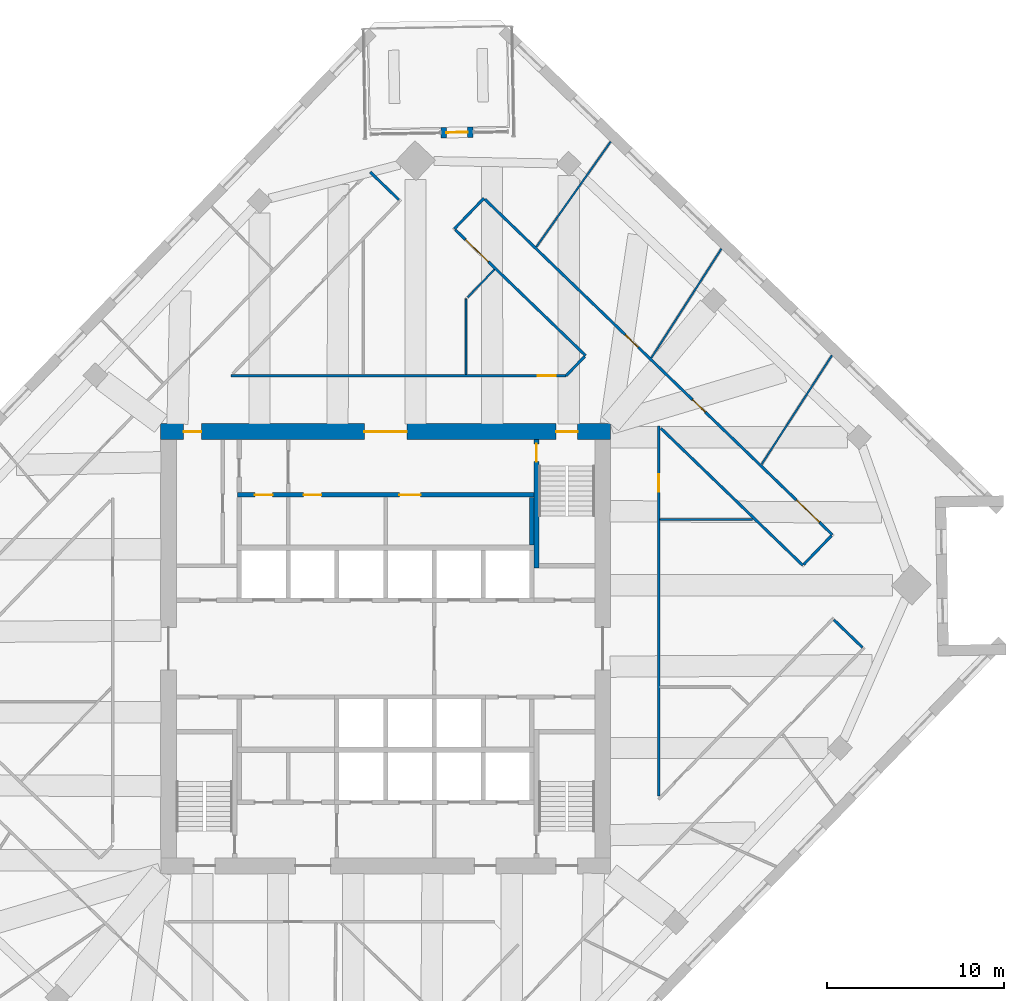
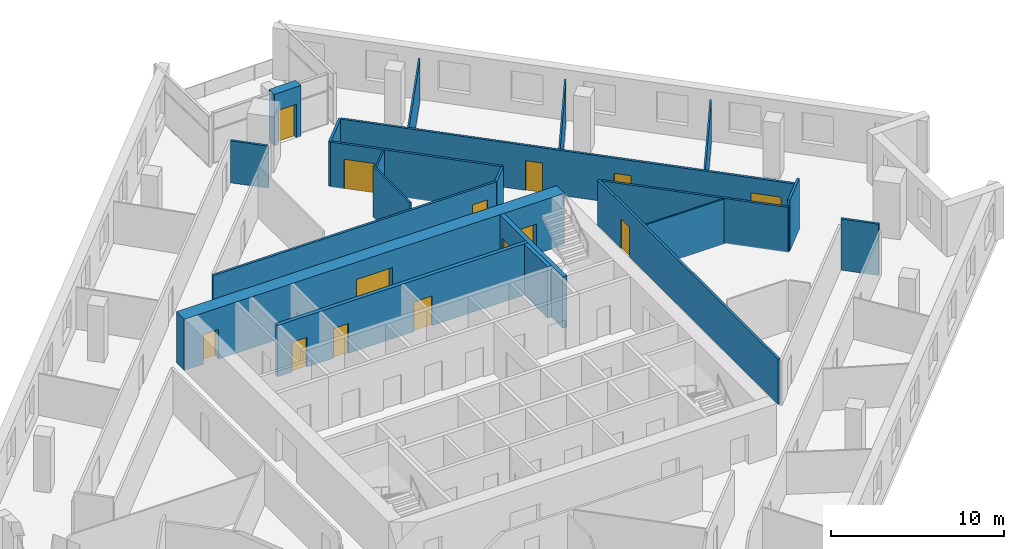
# One storey, part 10 of 13: 21 walls, 14 doors, 14 openings.
"""IFC4 building model written with IfcOpenShell, lengths in metres."""

from ifc_helpers import new_model, si_unit, direction, frame, frame_2d, origin, place, context, subcontext, project, spatial, rectangle, extrude, material, layer, layer_set, type_object, element, fill, save


model = new_model("IFC4")

# Units and contexts
model_context = context("Model", 3, precision=1e-05, world=origin(), true_north=direction((0.0, 1.0)))
body_context = subcontext(model_context, "Body", "Model", "MODEL_VIEW")
ifc_project = project(units=[si_unit("LENGTHUNIT", "METRE"), si_unit("AREAUNIT", "SQUARE_METRE"), si_unit("VOLUMEUNIT", "CUBIC_METRE"), si_unit("PLANEANGLEUNIT", "RADIAN"), si_unit("MASSUNIT", "GRAM", prefix="KILO")], contexts=[model_context])

# Site, building, storey
site_placement = place(None, origin())
site = spatial("IfcSite", under=ifc_project, at=site_placement, CompositionType="ELEMENT")
building_placement = place(site_placement, origin())
building = spatial("IfcBuilding", under=site, at=building_placement, Name="Dilmun Exchange Tower", CompositionType="ELEMENT")
storey_placement = place(building_placement, frame((0.0, 0.0, 205.300048828125)))
storey = spatial("IfcBuildingStorey", under=building, at=storey_placement, Name="L48", CompositionType="ELEMENT", Elevation=205.300048828125)

# Wall
ifc_material_1 = material(Name="Concrete C40/50", Category="concrete")
ifc_layer_1 = layer(ifc_material_1, 0.25)
ifc_layer_set_1 = layer_set([ifc_layer_1], Name="Concrete C40/50")
wall_type_1 = type_object("IfcWallType", Name="Core partition wall 250", PredefinedType="PARTITIONING", material=ifc_layer_set_1)
wall_1_placement = place(storey_placement, frame((8.25, 5.85498046875, 0.0), z_axis=(0.0, 0.0, 1.0), x_axis=(0.0, 1.0, 0.0)))
element("IfcWall", 1, at=wall_1_placement, inside=storey, type_object=wall_type_1, Name="L48 core partition wall 19", PredefinedType="PARTITIONING", context=body_context, shape_type="SweptSolid", body=[
    extrude(rectangle(XDim=2.68994140625, YDim=0.25, at=frame_2d((1.344970703125, 0.0))), origin(), (0.0, 0.0, 1.0), 3.619873046875),
])

# Wall, openings, doors
wall_2_placement = place(storey_placement, frame((-8.35009765625, 8.675048828125, 0.0), z_axis=(0.0, 0.0, 1.0), x_axis=(1.0, 0.0, 0.0)))
wall_2 = element("IfcWall", 2, at=wall_2_placement, inside=storey, type_object=wall_type_1, Name="L48 core partition wall 20", PredefinedType="PARTITIONING", context=body_context, shape_type="SweptSolid", body=[
    extrude(rectangle(XDim=16.72021484375, YDim=0.25, at=frame_2d((8.360107421875, 0.0))), origin(), (0.0, 0.0, 1.0), 3.619873046875),
])
opening_1_placement = place(wall_2_placement, frame((0.97509765625, 0.0, 0.0)))
opening_1 = element("IfcOpeningElement", 3, at=opening_1_placement, cuts=wall_2, Name="Opening CD4", PredefinedType="OPENING", context=body_context, shape_type="SweptSolid", body=[
    extrude(rectangle(XDim=1.0, YDim=2.10009765625, at=frame_2d((0.5, 1.050048828125))), frame((0.0, 0.135009765625, 0.0), z_axis=(0.0, -1.0, 0.0), x_axis=(1.0, 0.0, 0.0)), (0.0, 0.0, 1.0), 0.27001953125),
])
opening_2_placement = place(wall_2_placement, frame((3.72509765625, 0.0, 0.0)))
opening_2 = element("IfcOpeningElement", 4, at=opening_2_placement, cuts=wall_2, Name="Opening CD4", PredefinedType="OPENING", context=body_context, shape_type="SweptSolid", body=[
    extrude(rectangle(XDim=1.0, YDim=2.10009765625, at=frame_2d((0.5, 1.050048828125))), frame((0.0, 0.135009765625, 0.0), z_axis=(0.0, -1.0, 0.0), x_axis=(1.0, 0.0, 0.0)), (0.0, 0.0, 1.0), 0.27001953125),
])
opening_3_placement = place(wall_2_placement, frame((9.125, 0.0, 0.0)))
opening_3 = element("IfcOpeningElement", 5, at=opening_3_placement, cuts=wall_2, Name="Opening CD3", PredefinedType="OPENING", context=body_context, shape_type="SweptSolid", body=[
    extrude(rectangle(XDim=1.199951171875, YDim=2.10009765625, at=frame_2d((0.60009765625, 1.050048828125))), frame((0.0, 0.135009765625, 0.0), z_axis=(0.0, -1.0, 0.0), x_axis=(1.0, 0.0, 0.0)), (0.0, 0.0, 1.0), 0.27001953125),
])
ifc_material_2 = material(Name="Fire-rated steel door set", Category="steel")
door_type_1 = type_object("IfcDoorType", Name="Core room door 1000x2100", OperationType="SINGLE_SWING_LEFT", PredefinedType="DOOR", material=ifc_material_2)
door_1_placement = place(opening_1_placement, origin())
door_1 = element("IfcDoor", 6, at=door_1_placement, inside=storey, type_object=door_type_1, Name="L48 door Comms room", OperationType="SINGLE_SWING_LEFT", OverallHeight=2.10009765625, OverallWidth=1.0, PredefinedType="DOOR", context=body_context, shape_type="SweptSolid", body=[
    extrude(rectangle(XDim=1.0, YDim=2.10009765625, at=frame_2d((0.5, 1.050048828125))), frame((0.0, 0.02490234375, 0.0), z_axis=(0.0, -1.0, 0.0), x_axis=(1.0, 0.0, 0.0)), (0.0, 0.0, 1.0), 0.050048828125),
])
fill(opening_1, door_1)
door_2_placement = place(opening_2_placement, origin())
door_2 = element("IfcDoor", 7, at=door_2_placement, inside=storey, type_object=door_type_1, Name="L48 door Tenant services room", OperationType="SINGLE_SWING_LEFT", OverallHeight=2.10009765625, OverallWidth=1.0, PredefinedType="DOOR", context=body_context, shape_type="SweptSolid", body=[
    extrude(rectangle(XDim=1.0, YDim=2.10009765625, at=frame_2d((0.5, 1.050048828125))), frame((0.0, 0.02490234375, 0.0), z_axis=(0.0, -1.0, 0.0), x_axis=(1.0, 0.0, 0.0)), (0.0, 0.0, 1.0), 0.050048828125),
])
fill(opening_2, door_2)
door_type_2 = type_object("IfcDoorType", Name="Stair exit door 1200x2100", OperationType="SINGLE_SWING_LEFT", PredefinedType="DOOR", material=ifc_material_2)
door_3_placement = place(opening_3_placement, origin())
door_3 = element("IfcDoor", 8, at=door_3_placement, inside=storey, type_object=door_type_2, Name="L48 door Tenant amenity store", OperationType="SINGLE_SWING_LEFT", OverallHeight=2.10009765625, OverallWidth=1.199951171875, PredefinedType="DOOR", context=body_context, shape_type="SweptSolid", body=[
    extrude(rectangle(XDim=1.199951171875, YDim=2.10009765625, at=frame_2d((0.60009765625, 1.050048828125))), frame((0.0, 0.02490234375, 0.0), z_axis=(0.0, -1.0, 0.0), x_axis=(1.0, 0.0, 0.0)), (0.0, 0.0, 1.0), 0.050048828125),
])
fill(opening_3, door_3)

ifc_material_3 = material(Name="Concrete C60/75", Category="concrete")
ifc_layer_2 = layer(ifc_material_3, 0.89990234375)
ifc_layer_set_2 = layer_set([ifc_layer_2], Name="Concrete C60/75")
wall_type_2 = type_object("IfcWallType", Name="Core shear wall 900 Concrete C60/75", PredefinedType="SHEAR", material=ifc_layer_set_2)
wall_3_placement = place(storey_placement, frame((-12.699951171875, 12.25, 0.0), z_axis=(0.0, 0.0, 1.0), x_axis=(1.0, 0.0, 0.0)))
wall_3 = element("IfcWall", 9, at=wall_3_placement, inside=storey, type_object=wall_type_2, Name="L48 core shear wall N", PredefinedType="SHEAR", context=body_context, shape_type="SweptSolid", body=[
    extrude(rectangle(XDim=25.39990234375, YDim=0.89990234375, at=frame_2d((12.699951171875, 0.0))), origin(), (0.0, 0.0, 1.0), 3.619873046875),
])
opening_4_placement = place(wall_3_placement, frame((11.5, 0.0, 0.0)))
opening_4 = element("IfcOpeningElement", 10, at=opening_4_placement, cuts=wall_3, Name="Opening CD1", PredefinedType="OPENING", context=body_context, shape_type="SweptSolid", body=[
    extrude(rectangle(XDim=2.39990234375, YDim=2.39990234375, at=frame_2d((1.199951171875, 1.199951171875))), frame((0.0, 0.4599609375, 0.0), z_axis=(0.0, -1.0, 0.0), x_axis=(1.0, 0.0, 0.0)), (0.0, 0.0, 1.0), 0.919921875),
])
opening_5_placement = place(wall_3_placement, frame((22.324951171875, 0.0, 0.0)))
opening_5 = element("IfcOpeningElement", 11, at=opening_5_placement, cuts=wall_3, Name="Opening CD3", PredefinedType="OPENING", context=body_context, shape_type="SweptSolid", body=[
    extrude(rectangle(XDim=1.199951171875, YDim=2.10009765625, at=frame_2d((0.60009765625, 1.050048828125))), frame((0.0, 0.4599609375, 0.0), z_axis=(0.0, -1.0, 0.0), x_axis=(1.0, 0.0, 0.0)), (0.0, 0.0, 1.0), 0.919921875),
])
opening_6_placement = place(wall_3_placement, frame((1.300048828125, 0.0, 0.0)))
opening_6 = element("IfcOpeningElement", 12, at=opening_6_placement, cuts=wall_3, Name="Opening CD4", PredefinedType="OPENING", context=body_context, shape_type="SweptSolid", body=[
    extrude(rectangle(XDim=1.0, YDim=2.10009765625, at=frame_2d((0.5, 1.050048828125))), frame((0.0, 0.4599609375, 0.0), z_axis=(0.0, -1.0, 0.0), x_axis=(1.0, 0.0, 0.0)), (0.0, 0.0, 1.0), 0.919921875),
])
door_type_3 = type_object("IfcDoorType", Name="Core lobby door 2400x2400", OperationType="DOUBLE_DOOR_DOUBLE_SWING", PredefinedType="DOOR", material=ifc_material_2)
door_4_placement = place(opening_4_placement, origin())
door_4 = element("IfcDoor", 13, at=door_4_placement, inside=storey, type_object=door_type_3, Name="L48 door North lift lobby", OperationType="SINGLE_SWING_LEFT", OverallHeight=2.39990234375, OverallWidth=2.39990234375, PredefinedType="DOOR", context=body_context, shape_type="SweptSolid", body=[
    extrude(rectangle(XDim=2.39990234375, YDim=2.39990234375, at=frame_2d((1.199951171875, 1.199951171875))), frame((0.0, 0.02490234375, 0.0), z_axis=(0.0, -1.0, 0.0), x_axis=(1.0, 0.0, 0.0)), (0.0, 0.0, 1.0), 0.050048828125),
])
fill(opening_4, door_4)
door_5_placement = place(opening_6_placement, origin())
door_5 = element("IfcDoor", 14, at=door_5_placement, inside=storey, type_object=door_type_1, Name="L48 door North-west core rooms", OperationType="SINGLE_SWING_LEFT", OverallHeight=2.10009765625, OverallWidth=1.0, PredefinedType="DOOR", context=body_context, shape_type="SweptSolid", body=[
    extrude(rectangle(XDim=1.0, YDim=2.10009765625, at=frame_2d((0.5, 1.050048828125))), frame((0.0, 0.02490234375, 0.0), z_axis=(0.0, -1.0, 0.0), x_axis=(1.0, 0.0, 0.0)), (0.0, 0.0, 1.0), 0.050048828125),
])
fill(opening_6, door_5)
door_6_placement = place(opening_5_placement, origin())
door_6 = element("IfcDoor", 15, at=door_6_placement, inside=storey, type_object=door_type_2, Name="L48 door Stair ST1", OperationType="SINGLE_SWING_LEFT", OverallHeight=2.10009765625, OverallWidth=1.199951171875, PredefinedType="DOOR", context=body_context, shape_type="SweptSolid", body=[
    extrude(rectangle(XDim=1.199951171875, YDim=2.10009765625, at=frame_2d((0.60009765625, 1.050048828125))), frame((0.0, 0.02490234375, 0.0), z_axis=(0.0, -1.0, 0.0), x_axis=(1.0, 0.0, 0.0)), (0.0, 0.0, 1.0), 0.050048828125),
])
fill(opening_5, door_6)

# Wall, opening, door
ifc_material_4 = material(Name="Corridor wall 150")
ifc_layer_3 = layer(ifc_material_4, 0.14990234375)
ifc_layer_set_3 = layer_set([ifc_layer_3], Name="Corridor wall 150")
wall_type_3 = type_object("IfcWallType", Name="Corridor wall 150", PredefinedType="PARTITIONING", material=ifc_layer_set_3)
wall_4_placement = place(storey_placement, frame((-8.737060546875, 15.39990234375, 0.0), z_axis=(0.0, 0.0, 1.0), x_axis=(1.0, 0.0, 0.0)))
wall_4 = element("IfcWall", 16, at=wall_4_placement, inside=storey, type_object=wall_type_3, Name="Corridor wall", PredefinedType="PARTITIONING", context=body_context, shape_type="SweptSolid", body=[
    extrude(rectangle(XDim=18.916015625, YDim=0.14990234375, at=frame_2d((9.4580078125, 0.0))), origin(), (0.0, 0.0, 1.0), 3.169921875),
])
opening_7_placement = place(wall_4_placement, frame((17.3212890625, 0.0, 0.0)))
opening_7 = element("IfcOpeningElement", 17, at=opening_7_placement, cuts=wall_4, Name="Opening TF48-D15", PredefinedType="OPENING", context=body_context, shape_type="SweptSolid", body=[
    extrude(rectangle(XDim=1.0, YDim=2.10009765625, at=frame_2d((0.5, 1.050048828125))), frame((0.0, 0.0849609375, 0.0), z_axis=(0.0, -1.0, 0.0), x_axis=(1.0, 0.0, 0.0)), (0.0, 0.0, 1.0), 0.169921875),
])
ifc_material_5 = material(Name="Fire door 1000 x 2100")
door_type_4 = type_object("IfcDoorType", Name="Fire door 1000 x 2100", OperationType="NOTDEFINED", PredefinedType="DOOR", material=ifc_material_5)
door_7_placement = place(opening_7_placement, origin())
door_7 = element("IfcDoor", 18, at=door_7_placement, inside=storey, type_object=door_type_4, Name="Door TF48-D15", OperationType="SINGLE_SWING_LEFT", OverallHeight=2.10009765625, OverallWidth=1.0, PredefinedType="DOOR", context=body_context, shape_type="SweptSolid", body=[
    extrude(rectangle(XDim=1.0, YDim=2.10009765625, at=frame_2d((0.5, 1.050048828125))), frame((0.0, 0.02490234375, 0.0), z_axis=(0.0, -1.0, 0.0), x_axis=(1.0, 0.0, 0.0)), (0.0, 0.0, 1.0), 0.050048828125),
])
fill(opening_7, door_7)

# Walls
wall_5_placement = place(storey_placement, frame((-0.87109375, 26.891845703125, 0.0), z_axis=(0.0, 0.0, 1.0), x_axis=(0.719526700113, -0.694464777959, 0.0)))
element("IfcWall", 19, at=wall_5_placement, inside=storey, type_object=wall_type_3, Name="Corridor wall", PredefinedType="PARTITIONING", context=body_context, shape_type="SweptSolid", body=[
    extrude(rectangle(XDim=2.250244140625, YDim=0.14990234375, at=frame_2d((1.125, 0.0))), origin(), (0.0, 0.0, 1.0), 2.969970703125),
])
wall_6_placement = place(storey_placement, frame((3.8759765625, 23.68798828125, 0.0), z_axis=(0.0, 0.0, 1.0), x_axis=(0.694688923552, 0.719310294305, 0.0)))
element("IfcWall", 20, at=wall_6_placement, inside=storey, type_object=wall_type_3, Name="Corridor wall", PredefinedType="PARTITIONING", context=body_context, shape_type="SweptSolid", body=[
    extrude(rectangle(XDim=2.399658203125, YDim=0.14990234375, at=frame_2d((1.19970703125, 0.0))), origin(), (0.0, 0.0, 1.0), 3.169921875),
])

# Wall, opening, door
wall_7_placement = place(storey_placement, frame((3.929931640625, 23.635986328125, 0.0), z_axis=(0.0, 0.0, 1.0), x_axis=(0.719341752701, -0.694656348723, 0.0)))
wall_7 = element("IfcWall", 21, at=wall_7_placement, inside=storey, type_object=wall_type_3, Name="Corridor wall", PredefinedType="PARTITIONING", context=body_context, shape_type="SweptSolid", body=[
    extrude(rectangle(XDim=10.216552734375, YDim=0.14990234375, at=frame_2d((5.1083984375, 0.0))), origin(), (0.0, 0.0, 1.0), 3.169921875),
])
opening_8_placement = place(wall_7_placement, frame((0.800048828125, 0.0, 0.0)))
opening_8 = element("IfcOpeningElement", 22, at=opening_8_placement, cuts=wall_7, Name="Opening TF48-D11", PredefinedType="OPENING", context=body_context, shape_type="SweptSolid", body=[
    extrude(rectangle(XDim=1.800048828125, YDim=2.10009765625, at=frame_2d((0.89990234375, 1.050048828125))), frame((0.0, 0.0849609375, 0.0), z_axis=(0.0, -1.0, 0.0), x_axis=(1.0, 0.0, 0.0)), (0.0, 0.0, 1.0), 0.169921875),
])
ifc_material_6 = material(Name="Fire door pair 1800 x 2100")
door_type_5 = type_object("IfcDoorType", Name="Fire door pair 1800 x 2100", OperationType="NOTDEFINED", PredefinedType="DOOR", material=ifc_material_6)
door_8_placement = place(opening_8_placement, frame((1.800048828125, 0.0, 0.0), z_axis=(0.0, 0.0, 1.0), x_axis=(-1.0, 0.0, 0.0)))
door_8 = element("IfcDoor", 23, at=door_8_placement, inside=storey, type_object=door_type_5, Name="Door TF48-D11", OperationType="DOUBLE_DOOR_SINGLE_SWING", OverallHeight=2.10009765625, OverallWidth=1.800048828125, PredefinedType="DOOR", context=body_context, shape_type="SweptSolid", body=[
    extrude(rectangle(XDim=1.800048828125, YDim=2.10009765625, at=frame_2d((0.89990234375, 1.050048828125))), frame((0.0, 0.02490234375, 0.0), z_axis=(0.0, -1.0, 0.0), x_axis=(1.0, 0.0, 0.0)), (0.0, 0.0, 1.0), 0.050048828125),
])
fill(opening_8, door_8)

# Wall, openings, doors
wall_8_placement = place(storey_placement, frame((5.596923828125, 25.36181640625, 0.0), z_axis=(0.0, 0.0, 1.0), x_axis=(0.719350067003, -0.69464773886, 0.0)))
wall_8 = element("IfcWall", 24, at=wall_8_placement, inside=storey, type_object=wall_type_3, Name="Corridor wall", PredefinedType="PARTITIONING", context=body_context, shape_type="SweptSolid", body=[
    extrude(rectangle(XDim=27.258056640625, YDim=0.14990234375, at=frame_2d((13.62890625, 0.0))), origin(), (0.0, 0.0, 1.0), 3.169921875),
])
opening_9_placement = place(wall_8_placement, frame((11.01708984375, 0.0, 0.0)))
opening_9 = element("IfcOpeningElement", 25, at=opening_9_placement, cuts=wall_8, Name="Opening TF48-D17", PredefinedType="OPENING", context=body_context, shape_type="SweptSolid", body=[
    extrude(rectangle(XDim=1.0, YDim=2.10009765625, at=frame_2d((0.5, 1.050048828125))), frame((0.0, 0.0849609375, 0.0), z_axis=(0.0, -1.0, 0.0), x_axis=(1.0, 0.0, 0.0)), (0.0, 0.0, 1.0), 0.169921875),
])
opening_10_placement = place(wall_8_placement, frame((16.287109375, 0.0, 0.0)))
opening_10 = element("IfcOpeningElement", 26, at=opening_10_placement, cuts=wall_8, Name="Opening TF48-D21", PredefinedType="OPENING", context=body_context, shape_type="SweptSolid", body=[
    extrude(rectangle(XDim=1.0, YDim=2.10009765625, at=frame_2d((0.5, 1.050048828125))), frame((0.0, 0.0849609375, 0.0), z_axis=(0.0, -1.0, 0.0), x_axis=(1.0, 0.0, 0.0)), (0.0, 0.0, 1.0), 0.169921875),
])
opening_11_placement = place(wall_8_placement, frame((24.435302734375, 0.0, 0.0)))
opening_11 = element("IfcOpeningElement", 27, at=opening_11_placement, cuts=wall_8, Name="Opening TF48-D23", PredefinedType="OPENING", context=body_context, shape_type="SweptSolid", body=[
    extrude(rectangle(XDim=1.800048828125, YDim=2.10009765625, at=frame_2d((0.89990234375, 1.050048828125))), frame((0.0, 0.0849609375, 0.0), z_axis=(0.0, -1.0, 0.0), x_axis=(1.0, 0.0, 0.0)), (0.0, 0.0, 1.0), 0.169921875),
])
door_9_placement = place(opening_9_placement, origin())
door_9 = element("IfcDoor", 28, at=door_9_placement, inside=storey, type_object=door_type_4, Name="Door TF48-D17", OperationType="SINGLE_SWING_LEFT", OverallHeight=2.10009765625, OverallWidth=1.0, PredefinedType="DOOR", context=body_context, shape_type="SweptSolid", body=[
    extrude(rectangle(XDim=1.0, YDim=2.10009765625, at=frame_2d((0.5, 1.050048828125))), frame((0.0, 0.02490234375, 0.0), z_axis=(0.0, -1.0, 0.0), x_axis=(1.0, 0.0, 0.0)), (0.0, 0.0, 1.0), 0.050048828125),
])
fill(opening_9, door_9)
door_10_placement = place(opening_10_placement, origin())
door_10 = element("IfcDoor", 29, at=door_10_placement, inside=storey, type_object=door_type_4, Name="Door TF48-D21", OperationType="SINGLE_SWING_LEFT", OverallHeight=2.10009765625, OverallWidth=1.0, PredefinedType="DOOR", context=body_context, shape_type="SweptSolid", body=[
    extrude(rectangle(XDim=1.0, YDim=2.10009765625, at=frame_2d((0.5, 1.050048828125))), frame((0.0, 0.02490234375, 0.0), z_axis=(0.0, -1.0, 0.0), x_axis=(1.0, 0.0, 0.0)), (0.0, 0.0, 1.0), 0.050048828125),
])
fill(opening_10, door_10)
door_11_placement = place(opening_11_placement, origin())
door_11 = element("IfcDoor", 30, at=door_11_placement, inside=storey, type_object=door_type_5, Name="Door TF48-D23", OperationType="DOUBLE_DOOR_SINGLE_SWING", OverallHeight=2.10009765625, OverallWidth=1.800048828125, PredefinedType="DOOR", context=body_context, shape_type="SweptSolid", body=[
    extrude(rectangle(XDim=1.800048828125, YDim=2.10009765625, at=frame_2d((0.89990234375, 1.050048828125))), frame((0.0, 0.02490234375, 0.0), z_axis=(0.0, -1.0, 0.0), x_axis=(1.0, 0.0, 0.0)), (0.0, 0.0, 1.0), 0.050048828125),
])
fill(opening_11, door_11)

# Wall
wall_9_placement = place(storey_placement, frame((10.179931640625, 15.39990234375, 0.0), z_axis=(0.0, 0.0, 1.0), x_axis=(0.694282379976, 0.719702700325, 0.0)))
element("IfcWall", 31, at=wall_9_placement, inside=storey, type_object=wall_type_3, Name="Corridor wall", PredefinedType="PARTITIONING", context=body_context, shape_type="SweptSolid", body=[
    extrude(rectangle(XDim=1.5078125, YDim=0.14990234375, at=frame_2d((0.75390625, 0.0))), origin(), (0.0, 0.0, 1.0), 3.169921875),
])

# Wall, opening, door
wall_10_placement = place(storey_placement, frame((15.39990234375, -8.314453125, 0.0), z_axis=(0.0, 0.0, 1.0), x_axis=(0.0, 1.0, 0.0)))
wall_10 = element("IfcWall", 32, at=wall_10_placement, inside=storey, type_object=wall_type_3, Name="Corridor wall", PredefinedType="PARTITIONING", context=body_context, shape_type="SweptSolid", body=[
    extrude(rectangle(XDim=20.87353515625, YDim=0.14990234375, at=frame_2d((10.436767578125, 0.0))), origin(), (0.0, 0.0, 1.0), 3.169921875),
])
opening_12_placement = place(wall_10_placement, frame((17.15771484375, 0.0, 0.0)))
opening_12 = element("IfcOpeningElement", 33, at=opening_12_placement, cuts=wall_10, Name="Opening TF48-D19", PredefinedType="OPENING", context=body_context, shape_type="SweptSolid", body=[
    extrude(rectangle(XDim=1.0, YDim=2.10009765625, at=frame_2d((0.5, 1.050048828125))), frame((0.0, 0.0849609375, 0.0), z_axis=(0.0, -1.0, 0.0), x_axis=(1.0, 0.0, 0.0)), (0.0, 0.0, 1.0), 0.169921875),
])
door_12_placement = place(opening_12_placement, frame((1.0, 0.0, 0.0), z_axis=(0.0, 0.0, 1.0), x_axis=(-1.0, 0.0, 0.0)))
door_12 = element("IfcDoor", 34, at=door_12_placement, inside=storey, type_object=door_type_4, Name="Door TF48-D19", OperationType="SINGLE_SWING_RIGHT", OverallHeight=2.10009765625, OverallWidth=1.0, PredefinedType="DOOR", context=body_context, shape_type="SweptSolid", body=[
    extrude(rectangle(XDim=1.0, YDim=2.10009765625, at=frame_2d((0.5, 1.050048828125))), frame((0.0, 0.02490234375, 0.0), z_axis=(0.0, -1.0, 0.0), x_axis=(1.0, 0.0, 0.0)), (0.0, 0.0, 1.0), 0.050048828125),
])
fill(opening_12, door_12)

# Walls
wall_11_placement = place(storey_placement, frame((15.527099609375, 12.436279296875, 0.0), z_axis=(0.0, 0.0, 1.0), x_axis=(0.719374261493, -0.694622683118, 0.0)))
element("IfcWall", 35, at=wall_11_placement, inside=storey, type_object=wall_type_3, Name="Corridor wall", PredefinedType="PARTITIONING", context=body_context, shape_type="SweptSolid", body=[
    extrude(rectangle(XDim=11.135986328125, YDim=0.14990234375, at=frame_2d((5.56787109375, 0.0))), origin(), (0.0, 0.0, 1.0), 3.169921875),
])
for number, where, z_axis, x_axis, name in (
    (36, (23.590087890625, 4.7548828125, 0.0), (0.0, 0.0, 1.0), (0.694681664174, 0.719317305131, 0.0), "Corridor wall"),
    (37, (25.287841796875, 1.630859375, 0.0), (0.0, 0.0, 1.0), (0.719317305131, -0.694681664174, 0.0), "Corridor wall"),
):
    element("IfcWall", number, at=place(storey_placement, frame(where, z_axis=z_axis, x_axis=x_axis)), inside=storey, type_object=wall_type_3, Name=name, PredefinedType="PARTITIONING", context=body_context, shape_type="SweptSolid", body=[
        extrude(rectangle(XDim=2.24951171875, YDim=0.14990234375, at=frame_2d((1.124755859375, 0.0))), origin(), (0.0, 0.0, 1.0), 3.619873046875),
    ])
ifc_material_7 = material(Name="Partition 100")
ifc_layer_4 = layer(ifc_material_7, 0.10009765625)
ifc_layer_set_4 = layer_set([ifc_layer_4], Name="Partition 100")
wall_type_4 = type_object("IfcWallType", Name="Partition 100", PredefinedType="PARTITIONING", material=ifc_layer_set_4)
wall_12_placement = place(storey_placement, frame((4.533935546875, 15.47509765625, 0.0), z_axis=(0.0, 0.0, 1.0), x_axis=(0.0, 1.0, 0.0)))
element("IfcWall", 38, at=wall_12_placement, inside=storey, type_object=wall_type_4, Name="Partition", PredefinedType="PARTITIONING", context=body_context, shape_type="SweptSolid", body=[
    extrude(rectangle(XDim=4.2568359375, YDim=0.10009765625, at=frame_2d((2.12841796875, 0.0))), origin(), (0.0, 0.0, 1.0), 3.619873046875),
])
wall_13_placement = place(storey_placement, frame((4.6201171875, 19.821044921875, 0.0), z_axis=(0.0, 0.0, 1.0), x_axis=(0.694620384486, 0.719376481028, 0.0)))
element("IfcWall", 39, at=wall_13_placement, inside=storey, type_object=wall_type_4, Name="Partition", PredefinedType="PARTITIONING", context=body_context, shape_type="SweptSolid", body=[
    extrude(rectangle(XDim=2.189208984375, YDim=0.10009765625, at=frame_2d((1.0947265625, 0.0))), origin(), (0.0, 0.0, 1.0), 3.169921875),
])
wall_14_placement = place(storey_placement, frame((8.503173828125, 22.67041015625, 0.0), z_axis=(0.0, 0.0, 1.0), x_axis=(0.576640998349, 0.816997649338, 0.0)))
element("IfcWall", 40, at=wall_14_placement, inside=storey, type_object=wall_type_4, Name="Partition", PredefinedType="PARTITIONING", context=body_context, shape_type="SweptSolid", body=[
    extrude(rectangle(XDim=7.2685546875, YDim=0.10009765625, at=frame_2d((3.63427734375, 0.0))), origin(), (0.0, 0.0, 1.0), 2.969970703125),
])
wall_15_placement = place(storey_placement, frame((14.99169921875, 16.40771484375, 0.0), z_axis=(0.0, 0.0, 1.0), x_axis=(0.54025368273, 0.841502203382, 0.0)))
element("IfcWall", 41, at=wall_15_placement, inside=storey, type_object=wall_type_4, Name="Partition", PredefinedType="PARTITIONING", context=body_context, shape_type="SweptSolid", body=[
    extrude(rectangle(XDim=7.322998046875, YDim=0.10009765625, at=frame_2d((3.66162109375, 0.0))), origin(), (0.0, 0.0, 1.0), 2.969970703125),
])
wall_16_placement = place(storey_placement, frame((15.47509765625, 7.29296875, 0.0), z_axis=(0.0, 0.0, 1.0), x_axis=(1.0, 0.0, 0.0)))
element("IfcWall", 42, at=wall_16_placement, inside=storey, type_object=wall_type_4, Name="Partition", PredefinedType="PARTITIONING", context=body_context, shape_type="SweptSolid", body=[
    extrude(rectangle(XDim=5.218017578125, YDim=0.10009765625, at=frame_2d((2.60888671875, 0.0))), origin(), (0.0, 0.0, 1.0), 3.169921875),
])
wall_17_placement = place(storey_placement, frame((21.212890625, 10.400390625, 0.0), z_axis=(0.0, 0.0, 1.0), x_axis=(0.542191446755, 0.840254982172, 0.0)))
element("IfcWall", 43, at=wall_17_placement, inside=storey, type_object=wall_type_4, Name="Partition", PredefinedType="PARTITIONING", context=body_context, shape_type="SweptSolid", body=[
    extrude(rectangle(XDim=7.3193359375, YDim=0.10009765625, at=frame_2d((3.65966796875, 0.0))), origin(), (0.0, 0.0, 1.0), 2.969970703125),
])

# Wall, opening, door
ifc_material_8 = material(Name="Precast concrete C50/60", Category="concrete")
ifc_layer_5 = layer(ifc_material_8, 0.60009765625)
ifc_layer_set_5 = layer_set([ifc_layer_5], Name="Precast concrete C50/60")
wall_type_5 = type_object("IfcWallType", Name="Precast stone-clad wall 600", PredefinedType="STANDARD", material=ifc_layer_set_5)
wall_18_placement = place(storey_placement, frame((4.927490234375, 29.145751953125, 0.0), z_axis=(0.0, 0.0, 1.0), x_axis=(-0.99984925639, -0.017362732983, 0.0)))
wall_18 = element("IfcWall", 44, at=wall_18_placement, inside=storey, type_object=wall_type_5, Name="Facade wall L48-01-D", PredefinedType="STANDARD", context=body_context, shape_type="SweptSolid", body=[
    extrude(rectangle(XDim=1.7998046875, YDim=0.60009765625, at=frame_2d((0.89990234375, 0.0))), origin(), (0.0, 0.0, 1.0), 3.619873046875),
])
opening_13_placement = place(wall_18_placement, frame((0.300048828125, 0.0, 0.0)))
opening_13 = element("IfcOpeningElement", 45, at=opening_13_placement, cuts=wall_18, Name="Opening GD-1", PredefinedType="OPENING", context=body_context, shape_type="SweptSolid", body=[
    extrude(rectangle(XDim=1.199951171875, YDim=2.39990234375, at=frame_2d((0.60009765625, 1.199951171875))), frame((0.0, 0.31005859375, 0.0), z_axis=(0.0, -1.0, 0.0), x_axis=(1.0, 0.0, 0.0)), (0.0, 0.0, 1.0), 0.6201171875),
])
ifc_material_9 = material(Name="Clear low-emissivity glass in aluminium frame", Category="aluminium")
door_type_6 = type_object("IfcDoorType", Name="Glazed garden door 1200 x 2400", OperationType="SINGLE_SWING_LEFT", PredefinedType="DOOR", material=ifc_material_9)
door_13_placement = place(opening_13_placement, origin())
door_13 = element("IfcDoor", 46, at=door_13_placement, inside=storey, type_object=door_type_6, Name="Garden terrace door", OperationType="SINGLE_SWING_LEFT", OverallHeight=2.39990234375, OverallWidth=1.199951171875, PredefinedType="DOOR", context=body_context, shape_type="SweptSolid", body=[
    extrude(rectangle(XDim=1.199951171875, YDim=2.39990234375, at=frame_2d((0.60009765625, 1.199951171875))), frame((0.0, 0.02490234375, 0.0), z_axis=(0.0, -1.0, 0.0), x_axis=(1.0, 0.0, 0.0)), (0.0, 0.0, 1.0), 0.050048828125),
])
fill(opening_13, door_13)

ifc_layer_6 = layer(ifc_material_1, 0.27490234375)
ifc_layer_set_6 = layer_set([ifc_layer_6], Name="Concrete C40/50")
wall_type_6 = type_object("IfcWallType", Name="Stair wall 275", PredefinedType="SOLIDWALL", material=ifc_layer_set_6)
wall_19_placement = place(storey_placement, frame((8.512451171875, 4.550048828125, 0.0), z_axis=(0.0, 0.0, 1.0), x_axis=(0.0, 1.0, 0.0)))
wall_19 = element("IfcWall", 47, at=wall_19_placement, inside=storey, type_object=wall_type_6, Name="L48 ST1 wall to lift block", PredefinedType="SOLIDWALL", context=body_context, shape_type="SweptSolid", body=[
    extrude(rectangle(XDim=7.25, YDim=0.27490234375, at=frame_2d((3.625, 0.0))), origin(), (0.0, 0.0, 1.0), 3.619873046875),
])
opening_14_placement = place(wall_19_placement, frame((6.0, 0.0, 0.0)))
opening_14 = element("IfcOpeningElement", 48, at=opening_14_placement, cuts=wall_19, Name="Opening CD4", PredefinedType="OPENING", context=body_context, shape_type="SweptSolid", body=[
    extrude(rectangle(XDim=1.0, YDim=2.10009765625, at=frame_2d((0.5, 1.050048828125))), frame((0.0, 0.1474609375, 0.0), z_axis=(0.0, -1.0, 0.0), x_axis=(1.0, 0.0, 0.0)), (0.0, 0.0, 1.0), 0.294921875),
])
door_14_placement = place(opening_14_placement, origin())
door_14 = element("IfcDoor", 49, at=door_14_placement, inside=storey, type_object=door_type_1, Name="L48 door ST1 from lobby", OperationType="SINGLE_SWING_LEFT", OverallHeight=2.10009765625, OverallWidth=1.0, PredefinedType="DOOR", context=body_context, shape_type="SweptSolid", body=[
    extrude(rectangle(XDim=1.0, YDim=2.10009765625, at=frame_2d((0.5, 1.050048828125))), frame((0.0, 0.02490234375, 0.0), z_axis=(0.0, -1.0, 0.0), x_axis=(1.0, 0.0, 0.0)), (0.0, 0.0, 1.0), 0.050048828125),
])
fill(opening_14, door_14)

save(model, "model.ifc")
